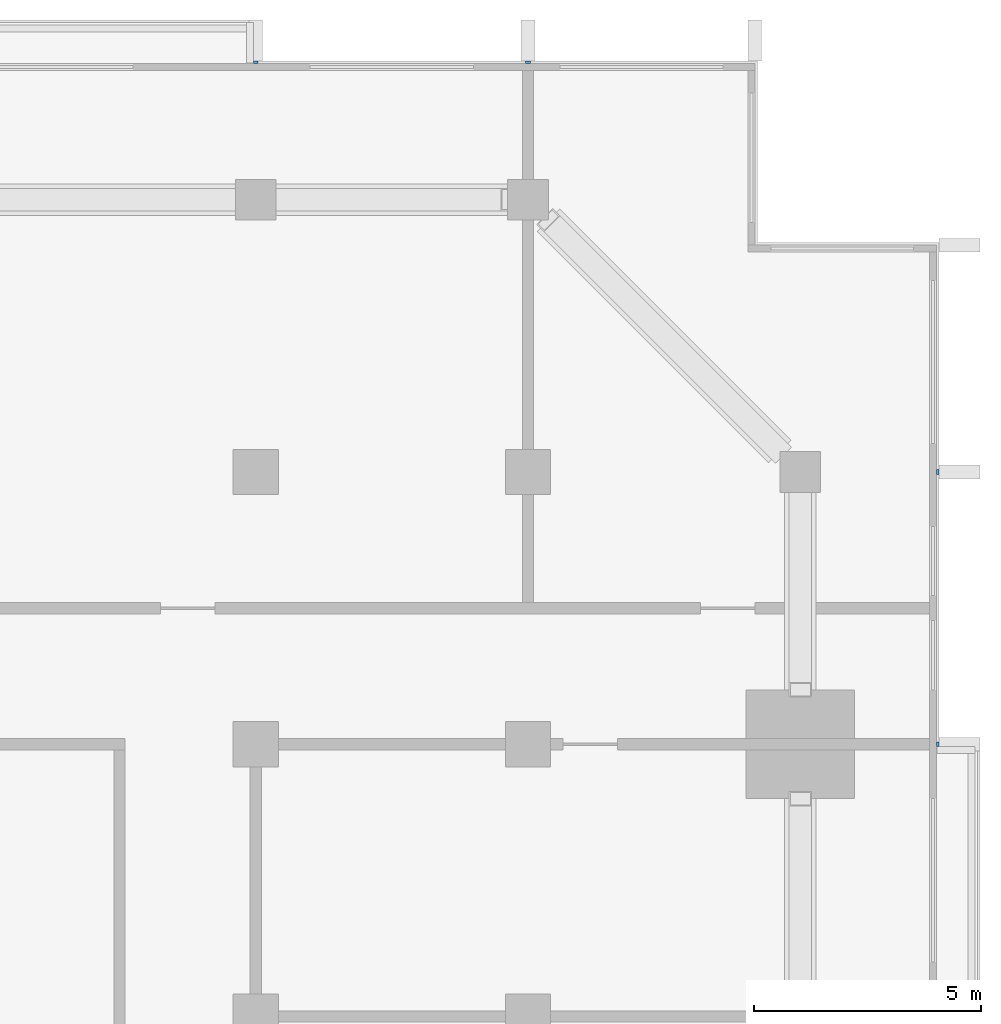
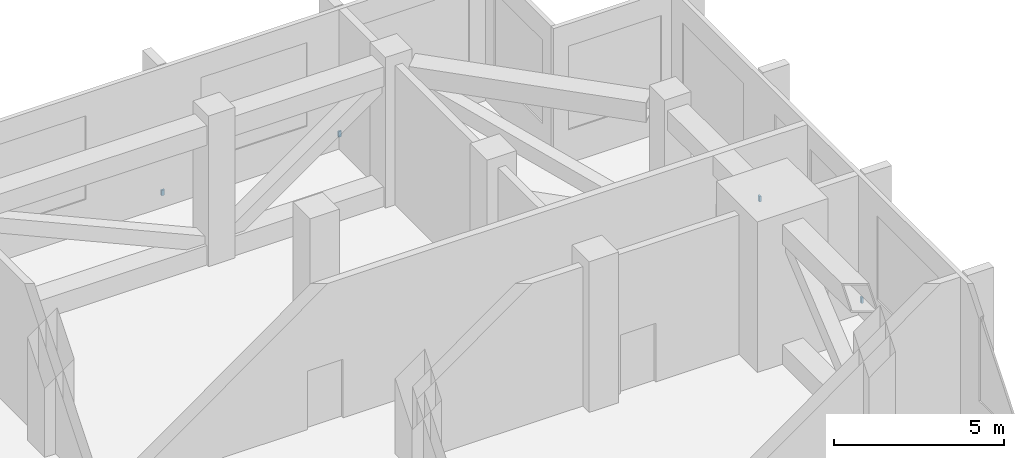
# One storey, part 9 of 11: 4 discrete accessories.
"""IFC4 building model written with IfcOpenShell, lengths in metres."""

from ifc_helpers import new_model, si_unit, direction, frame, origin, origin_2d, place, context, subcontext, project, spatial, rectangle, extrude, material, type_object, element, save


model = new_model("IFC4")

# Units and contexts
model_context = context("Model", 3, precision=1e-05, world=origin(), true_north=direction((0.0, 1.0)))
body_context = subcontext(model_context, "Body", "Model", "MODEL_VIEW")
ifc_project = project(units=[si_unit("LENGTHUNIT", "METRE"), si_unit("AREAUNIT", "SQUARE_METRE"), si_unit("VOLUMEUNIT", "CUBIC_METRE"), si_unit("PLANEANGLEUNIT", "RADIAN"), si_unit("MASSUNIT", "GRAM", prefix="KILO")], contexts=[model_context])

# Site, building, storey
site_placement = place(None, origin())
site = spatial("IfcSite", under=ifc_project, at=site_placement, CompositionType="ELEMENT")
building_placement = place(site_placement, origin())
building = spatial("IfcBuilding", under=site, at=building_placement, Name="Finial Court Residences", CompositionType="ELEMENT")
storey_placement = place(building_placement, frame((0.0, 0.0, 199.699951171875)))
storey = spatial("IfcBuildingStorey", under=building, at=storey_placement, Name="L50", CompositionType="ELEMENT", Elevation=199.699951171875)

# Discrete accessories
ifc_material = material(Name="Stainless steel 316", Category="steel")
discrete_accessory_type = type_object("IfcDiscreteAccessoryType", Name="Fin bracket, stainless steel 100 x 60 x 200", PredefinedType="BRACKET", material=ifc_material)
for number, where, z_axis, x_axis, name in (
    (1, (4.5, 22.530029296875, 0.30029296875), (0.0, 0.0, 1.0), (1.0, 0.0, 0.0), "E-L50-FIN-N4-BRK"),
    (2, (10.5, 22.530029296875, 0.30029296875), (0.0, 0.0, 1.0), (1.0, 0.0, 0.0), "E-L50-FIN-N5-BRK"),
):
    element("IfcDiscreteAccessory", number, at=place(storey_placement, frame(where, z_axis=z_axis, x_axis=x_axis)), inside=storey, type_object=discrete_accessory_type, Name=name, PredefinedType="BRACKET", context=body_context, shape_type="SweptSolid", body=[
        extrude(rectangle(XDim=0.10009765625, YDim=0.06005859375, at=origin_2d()), origin(), (0.0, 0.0, 1.0), 0.199951171875),
    ])
for number, where, z_axis, x_axis, name in (
    (3, (19.530029296875, 7.5, 0.30029296875), (0.0, 0.0, 1.0), (1.0, 0.0, 0.0), "E-L50-FIN-E11-BRK"),
    (4, (19.530029296875, 13.5, 0.30029296875), (0.0, 0.0, 1.0), (1.0, 0.0, 0.0), "E-L50-FIN-E12-BRK"),
):
    element("IfcDiscreteAccessory", number, at=place(storey_placement, frame(where, z_axis=z_axis, x_axis=x_axis)), inside=storey, type_object=discrete_accessory_type, Name=name, PredefinedType="BRACKET", context=body_context, shape_type="SweptSolid", body=[
        extrude(rectangle(XDim=0.06005859375, YDim=0.10009765625, at=origin_2d()), origin(), (0.0, 0.0, 1.0), 0.199951171875),
    ])

save(model, "model.ifc")
